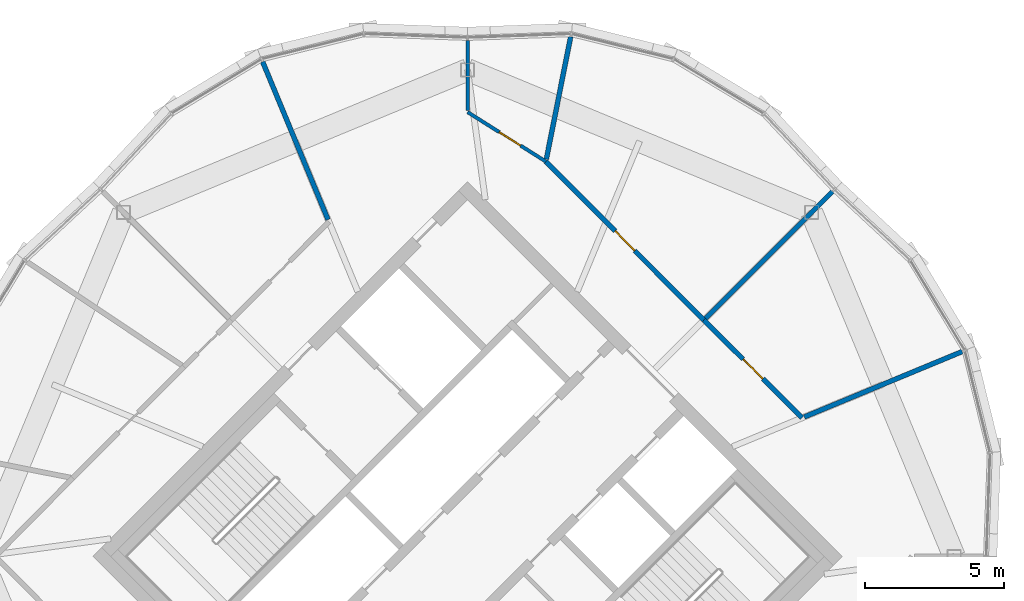
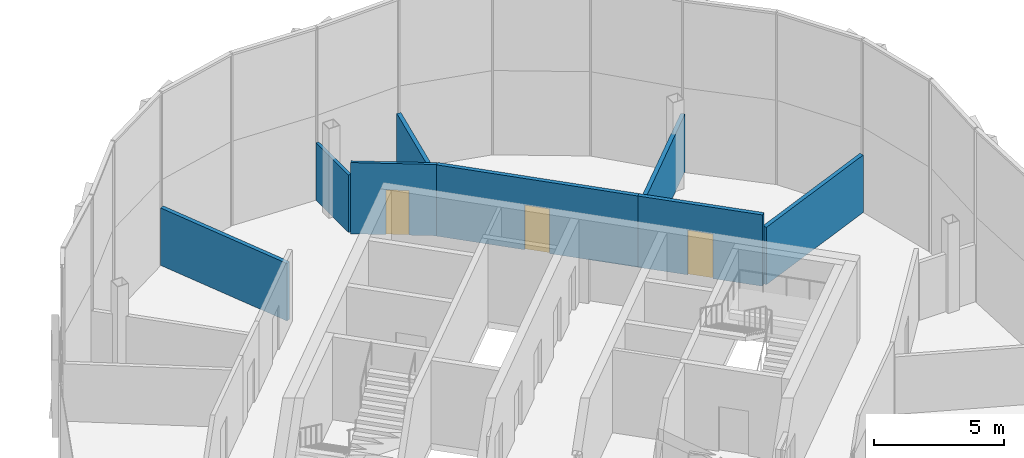
# One storey, part 20 of 24: 8 walls, 3 doors, 3 openings.
"""IFC4 building model written with IfcOpenShell, lengths in metres."""

from ifc_helpers import new_model, si_unit, direction, frame, frame_2d, origin, place, context, subcontext, project, spatial, rectangle, extrude, material, layer, layer_set, type_object, element, fill, save


model = new_model("IFC4")

# Units and contexts
model_context = context("Model", 3, precision=1e-05, world=origin(), true_north=direction((0.0, 1.0)))
body_context = subcontext(model_context, "Body", "Model", "MODEL_VIEW")
ifc_project = project(units=[si_unit("LENGTHUNIT", "METRE"), si_unit("AREAUNIT", "SQUARE_METRE"), si_unit("VOLUMEUNIT", "CUBIC_METRE"), si_unit("PLANEANGLEUNIT", "RADIAN"), si_unit("MASSUNIT", "GRAM", prefix="KILO")], contexts=[model_context])

# Site, building, storey
site_placement = place(None, origin())
site = spatial("IfcSite", under=ifc_project, at=site_placement, CompositionType="ELEMENT")
building_placement = place(site_placement, origin())
building = spatial("IfcBuilding", under=site, at=building_placement, Name="Ogive Gate Towers", CompositionType="ELEMENT")
storey_placement = place(building_placement, frame((0.0, 0.0, 277.199951171875)))
storey = spatial("IfcBuildingStorey", under=building, at=storey_placement, Name="L65", CompositionType="ELEMENT", Elevation=277.199951171875)

# Walls
ifc_material_1 = material(Name="Gypsum board acoustic partition")
ifc_layer_1 = layer(ifc_material_1, 0.175048828125)
ifc_layer_set_1 = layer_set([ifc_layer_1], Name="Acoustic partition 175")
wall_type_1 = type_object("IfcWallType", Name="Acoustic partition 175", PredefinedType="PARTITIONING", material=ifc_layer_set_1)
wall_1_placement = place(storey_placement, frame((53.747802734375, 7.351318359375, 0.0), z_axis=(0.0, 0.0, 1.0), x_axis=(-0.923879494329, -0.382683524544, 0.0)))
element("IfcWall", 1, at=wall_1_placement, inside=storey, type_object=wall_type_1, Name="Partition T2-L65-002", PredefinedType="PARTITIONING", context=body_context, shape_type="SweptSolid", body=[
    extrude(rectangle(XDim=6.131591796875, YDim=0.175048828125, at=frame_2d((3.06591796875, 0.0))), origin(), (0.0, 0.0, 1.0), 2.699951171875),
])
wall_2_placement = place(storey_placement, frame((49.1455078125, 13.1455078125, 0.0), z_axis=(0.0, 0.0, 1.0), x_axis=(-0.707106781187, -0.707106781187, 0.0)))
element("IfcWall", 2, at=wall_2_placement, inside=storey, type_object=wall_type_1, Name="Partition T2-L65-003", PredefinedType="PARTITIONING", context=body_context, shape_type="SweptSolid", body=[
    extrude(rectangle(XDim=6.51318359375, YDim=0.175048828125, at=frame_2d((3.256591796875, 0.0))), origin(), (0.0, 0.0, 1.0), 2.699951171875),
])
wall_3_placement = place(storey_placement, frame((39.69921875, 18.64599609375, 0.0), z_axis=(0.0, 0.0, 1.0), x_axis=(-0.194596790988, -0.980883320756, 0.0)))
element("IfcWall", 3, at=wall_3_placement, inside=storey, type_object=wall_type_1, Name="Partition T2-L65-004", PredefinedType="PARTITIONING", context=body_context, shape_type="SweptSolid", body=[
    extrude(rectangle(XDim=4.4814453125, YDim=0.175048828125, at=frame_2d((2.24072265625, 0.0))), origin(), (0.0, 0.0, 1.0), 2.699951171875),
])
wall_4_placement = place(storey_placement, frame((28.648681640625, 17.747802734375, 0.0), z_axis=(0.0, 0.0, 1.0), x_axis=(0.382683524544, -0.923879494329, 0.0)))
element("IfcWall", 4, at=wall_4_placement, inside=storey, type_object=wall_type_1, Name="Partition T2-L65-006", PredefinedType="PARTITIONING", context=body_context, shape_type="SweptSolid", body=[
    extrude(rectangle(XDim=6.131591796875, YDim=0.175048828125, at=frame_2d((3.06591796875, 0.0))), origin(), (0.0, 0.0, 1.0), 2.699951171875),
])

# Wall, opening, door
wall_5_placement = place(storey_placement, frame((48.002197265625, 4.971435546875, 0.0), z_axis=(0.0, 0.0, 1.0), x_axis=(-0.708823468851, 0.705385915656, 0.0)))
wall_5 = element("IfcWall", 5, at=wall_5_placement, inside=storey, type_object=wall_type_1, Name="Partition T2-L65-021", PredefinedType="PARTITIONING", context=body_context, shape_type="SweptSolid", body=[
    extrude(rectangle(XDim=4.971435546875, YDim=0.175048828125, at=frame_2d((2.48583984375, 0.0))), origin(), (0.0, 0.0, 1.0), 3.35009765625),
])
opening_1_placement = place(wall_5_placement, frame((1.986083984375, 0.0, 0.0)))
opening_1 = element("IfcOpeningElement", 6, at=opening_1_placement, cuts=wall_5, Name="Opening T2-L65-D06", PredefinedType="OPENING", context=body_context, shape_type="SweptSolid", body=[
    extrude(rectangle(XDim=1.0, YDim=2.10009765625, at=frame_2d((0.5, 1.050048828125))), frame((0.0, 0.09765625, 0.0), z_axis=(0.0, -1.0, 0.0), x_axis=(1.0, 0.0, 0.0)), (0.0, 0.0, 1.0), 0.195068359375),
])
ifc_material_2 = material(Name="Timber door", Category="wood")
door_type_1 = type_object("IfcDoorType", Name="Door 1000", OperationType="NOTDEFINED", PredefinedType="DOOR", material=ifc_material_2)
door_1_placement = place(opening_1_placement, origin())
door_1 = element("IfcDoor", 7, at=door_1_placement, inside=storey, type_object=door_type_1, Name="Door T2-L65-D06", OperationType="SINGLE_SWING_LEFT", OverallHeight=2.10009765625, OverallWidth=1.0, PredefinedType="DOOR", context=body_context, shape_type="SweptSolid", body=[
    extrude(rectangle(XDim=1.0, YDim=2.10009765625, at=frame_2d((0.5, 1.050048828125))), frame((0.0, 0.02490234375, 0.0), z_axis=(0.0, -1.0, 0.0), x_axis=(1.0, 0.0, 0.0)), (0.0, 0.0, 1.0), 0.050048828125),
])
fill(opening_1, door_1)

wall_6_placement = place(storey_placement, frame((44.478271484375, 8.478271484375, 0.0), z_axis=(0.0, 0.0, 1.0), x_axis=(-0.705965540047, 0.708246183375, 0.0)))
wall_6 = element("IfcWall", 8, at=wall_6_placement, inside=storey, type_object=wall_type_1, Name="Partition T2-L65-022", PredefinedType="PARTITIONING", context=body_context, shape_type="SweptSolid", body=[
    extrude(rectangle(XDim=8.028564453125, YDim=0.175048828125, at=frame_2d((4.01416015625, 0.0))), origin(), (0.0, 0.0, 1.0), 3.35009765625),
])
opening_2_placement = place(wall_6_placement, frame((3.513916015625, 0.0, 0.0)))
opening_2 = element("IfcOpeningElement", 9, at=opening_2_placement, cuts=wall_6, Name="Opening T2-L65-D07", PredefinedType="OPENING", context=body_context, shape_type="SweptSolid", body=[
    extrude(rectangle(XDim=1.0, YDim=2.10009765625, at=frame_2d((0.5, 1.050048828125))), frame((0.0, 0.09765625, 0.0), z_axis=(0.0, -1.0, 0.0), x_axis=(1.0, 0.0, 0.0)), (0.0, 0.0, 1.0), 0.195068359375),
])
door_2_placement = place(opening_2_placement, origin())
door_2 = element("IfcDoor", 10, at=door_2_placement, inside=storey, type_object=door_type_1, Name="Door T2-L65-D07", OperationType="SINGLE_SWING_LEFT", OverallHeight=2.10009765625, OverallWidth=1.0, PredefinedType="DOOR", context=body_context, shape_type="SweptSolid", body=[
    extrude(rectangle(XDim=1.0, YDim=2.10009765625, at=frame_2d((0.5, 1.050048828125))), frame((0.0, 0.02490234375, 0.0), z_axis=(0.0, -1.0, 0.0), x_axis=(1.0, 0.0, 0.0)), (0.0, 0.0, 1.0), 0.050048828125),
])
fill(opening_2, door_2)

# Wall
ifc_material_3 = material(Name="Gypsum board partition")
ifc_layer_2 = layer(ifc_material_3, 0.125)
ifc_layer_set_2 = layer_set([ifc_layer_2], Name="Partition 125")
wall_type_2 = type_object("IfcWallType", Name="Partition 125", PredefinedType="PARTITIONING", material=ifc_layer_set_2)
wall_7_placement = place(storey_placement, frame((36.0, 18.509033203125, 0.0), z_axis=(0.0, 0.0, 1.0), x_axis=(0.0, -1.0, 0.0)))
element("IfcWall", 11, at=wall_7_placement, inside=storey, type_object=wall_type_2, Name="Partition T2-L65-005", PredefinedType="PARTITIONING", context=body_context, shape_type="SweptSolid", body=[
    extrude(rectangle(XDim=2.50634765625, YDim=0.125, at=frame_2d((1.253173828125, 0.0))), origin(), (0.0, 0.0, 1.0), 2.699951171875),
])

# Wall, opening, door
wall_8_placement = place(storey_placement, frame((38.810302734375, 14.16455078125, 0.0), z_axis=(0.0, 0.0, 1.0), x_axis=(-0.845392905536, 0.534144957169, 0.0)))
wall_8 = element("IfcWall", 12, at=wall_8_placement, inside=storey, type_object=wall_type_2, Name="Partition T2-L65-023", PredefinedType="PARTITIONING", context=body_context, shape_type="SweptSolid", body=[
    extrude(rectangle(XDim=3.32421875, YDim=0.125, at=frame_2d((1.662109375, 0.0))), origin(), (0.0, 0.0, 1.0), 3.35009765625),
])
opening_3_placement = place(wall_8_placement, frame((1.074951171875, 0.0, 0.0)))
opening_3 = element("IfcOpeningElement", 13, at=opening_3_placement, cuts=wall_8, Name="Opening T2-L65-D08", PredefinedType="OPENING", context=body_context, shape_type="SweptSolid", body=[
    extrude(rectangle(XDim=0.89990234375, YDim=2.10009765625, at=frame_2d((0.449951171875, 1.050048828125))), frame((0.0, 0.072509765625, 0.0), z_axis=(0.0, -1.0, 0.0), x_axis=(1.0, 0.0, 0.0)), (0.0, 0.0, 1.0), 0.14501953125),
])
door_type_2 = type_object("IfcDoorType", Name="Door 900", OperationType="NOTDEFINED", PredefinedType="DOOR", material=ifc_material_2)
door_3_placement = place(opening_3_placement, origin())
door_3 = element("IfcDoor", 14, at=door_3_placement, inside=storey, type_object=door_type_2, Name="Door T2-L65-D08", OperationType="SINGLE_SWING_RIGHT", OverallHeight=2.10009765625, OverallWidth=0.89990234375, PredefinedType="DOOR", context=body_context, shape_type="SweptSolid", body=[
    extrude(rectangle(XDim=0.89990234375, YDim=2.10009765625, at=frame_2d((0.449951171875, 1.050048828125))), frame((0.0, 0.02490234375, 0.0), z_axis=(0.0, -1.0, 0.0), x_axis=(1.0, 0.0, 0.0)), (0.0, 0.0, 1.0), 0.050048828125),
])
fill(opening_3, door_3)

save(model, "model.ifc")
